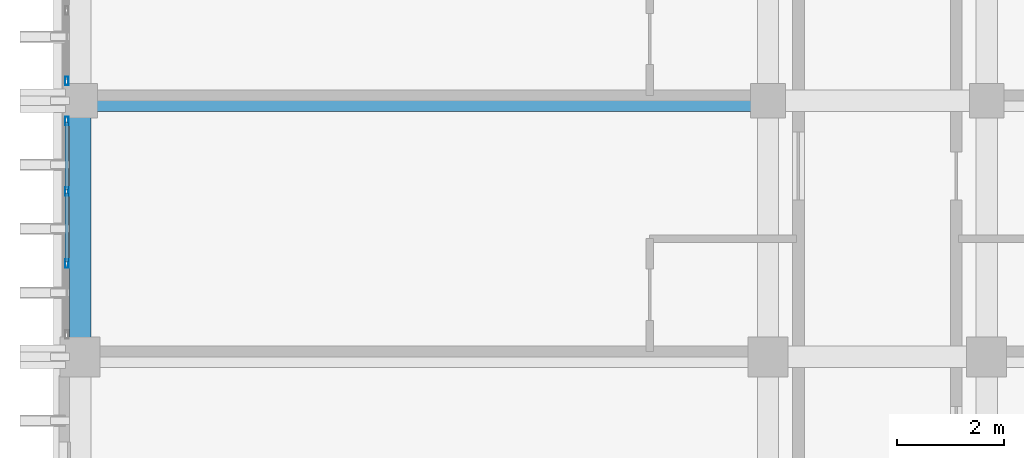
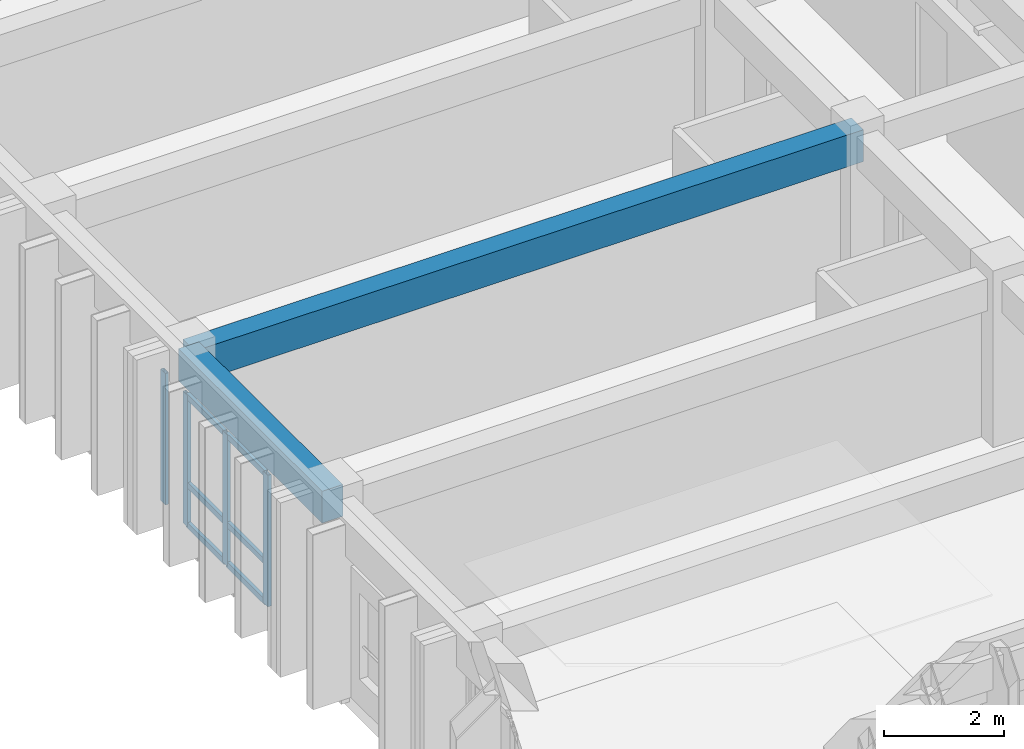
# One storey, part 9 of 64: 10 members, 2 beams, 2 elements without a shape of their own.
"""IFC4 building model written with IfcOpenShell, lengths in metres."""

from ifc_helpers import new_model, si_unit, direction, frame, origin, origin_2d, place, context, subcontext, project, spatial, rectangle, hollow_rectangle, extrude, material, layer, layer_set, material_profile, profile_set, type_object, element, aggregate, save


model = new_model("IFC4")

# Units and contexts
model_context = context("Model", 3, precision=1e-05, world=origin(), true_north=direction((0.0, 1.0)))
body_context = subcontext(model_context, "Body", "Model", "MODEL_VIEW")
ifc_project = project(units=[si_unit("LENGTHUNIT", "METRE"), si_unit("AREAUNIT", "SQUARE_METRE"), si_unit("VOLUMEUNIT", "CUBIC_METRE"), si_unit("PLANEANGLEUNIT", "RADIAN"), si_unit("MASSUNIT", "GRAM", prefix="KILO")], contexts=[model_context])

# Site, building, storey
site_placement = place(None, origin())
site = spatial("IfcSite", under=ifc_project, at=site_placement, CompositionType="ELEMENT")
building_placement = place(site_placement, origin())
building = spatial("IfcBuilding", under=site, at=building_placement, Name="Nakhvara Creek Congress Hotel", CompositionType="ELEMENT")
storey_placement = place(building_placement, frame((0.0, 0.0, 28.199951171875)))
storey = spatial("IfcBuildingStorey", under=building, at=storey_placement, Name="L06", CompositionType="ELEMENT", Elevation=28.199951171875)

# Beams
ifc_material_1 = material(Name="Concrete C40/50", Category="concrete")
ifc_material_profile_1 = material_profile(ifc_material_1, rectangle(XDim=0.39990234375, YDim=0.64990234375, at=origin_2d()), Name="RC-BM 400x650", Category="LoadBearing")
ifc_profile_set_1 = profile_set([ifc_material_profile_1], Name="Concrete C40/50")
beam_type = type_object("IfcBeamType", Name="BM-RC-400X650", PredefinedType="BEAM", material=ifc_profile_set_1)
beam_1_placement = place(storey_placement, frame((149.449951171875, 48.0, 3.01513671875), z_axis=(0.0, 1.0, 0.0), x_axis=(-1.0, 0.0, 0.0)))
element("IfcBeam", 1, at=beam_1_placement, inside=storey, type_object=beam_type, Name="Beam B06-L06-2197", PredefinedType="BEAM", context=body_context, shape_type="SweptSolid", body=[
    extrude(rectangle(XDim=0.39990234375, YDim=0.64990234375, at=origin_2d()), origin(), (0.0, 0.0, 1.0), 4.800048828125),
])
beam_2_placement = place(storey_placement, frame((149.449951171875, 52.800048828125, 3.01513671875), z_axis=(1.0, 0.0, 0.0), x_axis=(0.0, 1.0, 0.0)))
element("IfcBeam", 2, at=beam_2_placement, inside=storey, type_object=beam_type, Name="Beam B06-L06-2294", PredefinedType="BEAM", context=body_context, shape_type="SweptSolid", body=[
    extrude(rectangle(XDim=0.39990234375, YDim=0.64990234375, at=origin_2d()), origin(), (0.0, 0.0, 1.0), 12.900146484375),
])

# Curtain wall, members
ifc_material_2 = material(Name="Bronze-anodised aluminium AW-6063-T6 and double-silver low-E glass", Category="aluminium")
ifc_layer = layer(ifc_material_2, 0.199951171875)
ifc_layer_set = layer_set([ifc_layer], Name="Bronze-anodised aluminium AW-6063-T6 and double-silver low-E glass")
curtain_wall_type = type_object("IfcCurtainWallType", Name="CW-HTL-UNIT", PredefinedType="USERDEFINED", material=ifc_layer_set)
curtain_wall_1_placement = place(storey_placement, origin())
curtain_wall_1 = element("IfcCurtainWall", 3, at=curtain_wall_1_placement, inside=storey, type_object=curtain_wall_type, Name="Curtain Wall CW232", ObjectType="UNITISED", PredefinedType="USERDEFINED")
ifc_material_3 = material(Name="Bronze-anodised aluminium AW-6063-T6", Category="aluminium")
ifc_material_profile_2 = material_profile(ifc_material_3, hollow_rectangle(XDim=0.06494140625, YDim=0.159912109375, WallThickness=0.00390625, at=origin_2d()), Name="ALU-MULL 65x160x4", Category="LoadBearing")
ifc_profile_set_2 = profile_set([ifc_material_profile_2], Name="Bronze-anodised aluminium AW-6063-T6")
member_type_1 = type_object("IfcMemberType", Name="CW-MULL-160", PredefinedType="MULLION", material=ifc_profile_set_2)
member_1_placement = place(storey_placement, frame((149.199951171875, 49.74658203125, 0.0), z_axis=(0.0, 0.0, 1.0), x_axis=(-1.0, 0.0, 0.0)))
member_1 = element("IfcMember", 4, at=member_1_placement, type_object=member_type_1, Name="CW232 mullion 2", PredefinedType="MULLION", context=body_context, shape_type="SweptSolid", body=[
    extrude(hollow_rectangle(XDim=0.06494140625, YDim=0.159912109375, WallThickness=0.00390625, at=origin_2d()), origin(), (0.0, 0.0, 1.0), 2.68212890625),
])
member_2_placement = place(storey_placement, frame((149.199951171875, 51.103271484375, 0.0), z_axis=(0.0, 0.0, 1.0), x_axis=(-1.0, 0.0, 0.0)))
member_2 = element("IfcMember", 5, at=member_2_placement, type_object=member_type_1, Name="CW232 mullion 3", PredefinedType="MULLION", context=body_context, shape_type="SweptSolid", body=[
    extrude(hollow_rectangle(XDim=0.06494140625, YDim=0.159912109375, WallThickness=0.00390625, at=origin_2d()), origin(), (0.0, 0.0, 1.0), 2.68212890625),
])
member_3_placement = place(storey_placement, frame((149.199951171875, 52.427490234375, 0.0), z_axis=(0.0, 0.0, 1.0), x_axis=(-1.0, 0.0, 0.0)))
member_3 = element("IfcMember", 6, at=member_3_placement, type_object=member_type_1, Name="CW232 mullion 4", PredefinedType="MULLION", context=body_context, shape_type="SweptSolid", body=[
    extrude(hollow_rectangle(XDim=0.06494140625, YDim=0.159912109375, WallThickness=0.00390625, at=origin_2d()), origin(), (0.0, 0.0, 1.0), 2.68212890625),
])

# Curtain wall, member
curtain_wall_2_placement = place(storey_placement, origin())
curtain_wall_2 = element("IfcCurtainWall", 7, at=curtain_wall_2_placement, inside=storey, type_object=curtain_wall_type, Name="Curtain Wall CW234", ObjectType="UNITISED", PredefinedType="USERDEFINED")
member_4_placement = place(storey_placement, frame((149.199951171875, 53.172607421875, 0.0), z_axis=(0.0, 0.0, 1.0), x_axis=(-1.0, 0.0, 0.0)))
member_4 = element("IfcMember", 8, at=member_4_placement, type_object=member_type_1, Name="CW234 mullion 1", PredefinedType="MULLION", context=body_context, shape_type="SweptSolid", body=[
    extrude(hollow_rectangle(XDim=0.06494140625, YDim=0.159912109375, WallThickness=0.00390625, at=origin_2d()), origin(), (0.0, 0.0, 1.0), 2.68212890625),
])
aggregate(curtain_wall_2, [member_4])

# Member
ifc_material_profile_3 = material_profile(ifc_material_3, hollow_rectangle(XDim=0.06494140625, YDim=0.1201171875, WallThickness=0.00390625, at=origin_2d()), Name="ALU-TRAN 65x120x4", Category="LoadBearing")
ifc_profile_set_3 = profile_set([ifc_material_profile_3], Name="Bronze-anodised aluminium AW-6063-T6")
member_type_2 = type_object("IfcMemberType", Name="CW-TRAN-120", PredefinedType="USERDEFINED", material=ifc_profile_set_3)
member_5_placement = place(storey_placement, frame((149.199951171875, 49.779052734375, 0.032470703125), z_axis=(0.0, 1.0, 0.0), x_axis=(-1.0, 0.0, 0.0)))
member_5 = element("IfcMember", 9, at=member_5_placement, type_object=member_type_2, Name="CW232 transom 2.1", ObjectType="TRANSOM", PredefinedType="USERDEFINED", context=body_context, shape_type="SweptSolid", body=[
    extrude(hollow_rectangle(XDim=0.06494140625, YDim=0.1201171875, WallThickness=0.00390625, at=origin_2d()), origin(), (0.0, 0.0, 1.0), 1.291748046875),
])

member_6_placement = place(storey_placement, frame((149.199951171875, 49.779052734375, 0.85009765625), z_axis=(0.0, 1.0, 0.0), x_axis=(-1.0, 0.0, 0.0)))
member_6 = element("IfcMember", 10, at=member_6_placement, type_object=member_type_2, Name="CW232 transom 2.2", ObjectType="TRANSOM", PredefinedType="USERDEFINED", context=body_context, shape_type="SweptSolid", body=[
    extrude(hollow_rectangle(XDim=0.06494140625, YDim=0.1201171875, WallThickness=0.00390625, at=origin_2d()), origin(), (0.0, 0.0, 1.0), 1.291748046875),
])

member_7_placement = place(storey_placement, frame((149.199951171875, 49.779052734375, 2.649658203125), z_axis=(0.0, 1.0, 0.0), x_axis=(-1.0, 0.0, 0.0)))
member_7 = element("IfcMember", 11, at=member_7_placement, type_object=member_type_2, Name="CW232 transom 2.3", ObjectType="TRANSOM", PredefinedType="USERDEFINED", context=body_context, shape_type="SweptSolid", body=[
    extrude(hollow_rectangle(XDim=0.06494140625, YDim=0.1201171875, WallThickness=0.00390625, at=origin_2d()), origin(), (0.0, 0.0, 1.0), 1.291748046875),
])

member_8_placement = place(storey_placement, frame((149.199951171875, 51.1357421875, 0.032470703125), z_axis=(0.0, 1.0, 0.0), x_axis=(-1.0, 0.0, 0.0)))
member_8 = element("IfcMember", 12, at=member_8_placement, type_object=member_type_2, Name="CW232 transom 3.1", ObjectType="TRANSOM", PredefinedType="USERDEFINED", context=body_context, shape_type="SweptSolid", body=[
    extrude(hollow_rectangle(XDim=0.06494140625, YDim=0.1201171875, WallThickness=0.00390625, at=origin_2d()), origin(), (0.0, 0.0, 1.0), 1.25927734375),
])

member_9_placement = place(storey_placement, frame((149.199951171875, 51.1357421875, 0.85009765625), z_axis=(0.0, 1.0, 0.0), x_axis=(-1.0, 0.0, 0.0)))
member_9 = element("IfcMember", 13, at=member_9_placement, type_object=member_type_2, Name="CW232 transom 3.2", ObjectType="TRANSOM", PredefinedType="USERDEFINED", context=body_context, shape_type="SweptSolid", body=[
    extrude(hollow_rectangle(XDim=0.06494140625, YDim=0.1201171875, WallThickness=0.00390625, at=origin_2d()), origin(), (0.0, 0.0, 1.0), 1.25927734375),
])

member_10_placement = place(storey_placement, frame((149.199951171875, 51.1357421875, 2.649658203125), z_axis=(0.0, 1.0, 0.0), x_axis=(-1.0, 0.0, 0.0)))
member_10 = element("IfcMember", 14, at=member_10_placement, type_object=member_type_2, Name="CW232 transom 3.3", ObjectType="TRANSOM", PredefinedType="USERDEFINED", context=body_context, shape_type="SweptSolid", body=[
    extrude(hollow_rectangle(XDim=0.06494140625, YDim=0.1201171875, WallThickness=0.00390625, at=origin_2d()), origin(), (0.0, 0.0, 1.0), 1.25927734375),
])

aggregate(curtain_wall_1, [member_1, member_2, member_3, member_5, member_6, member_7, member_8, member_9, member_10])

save(model, "model.ifc")
